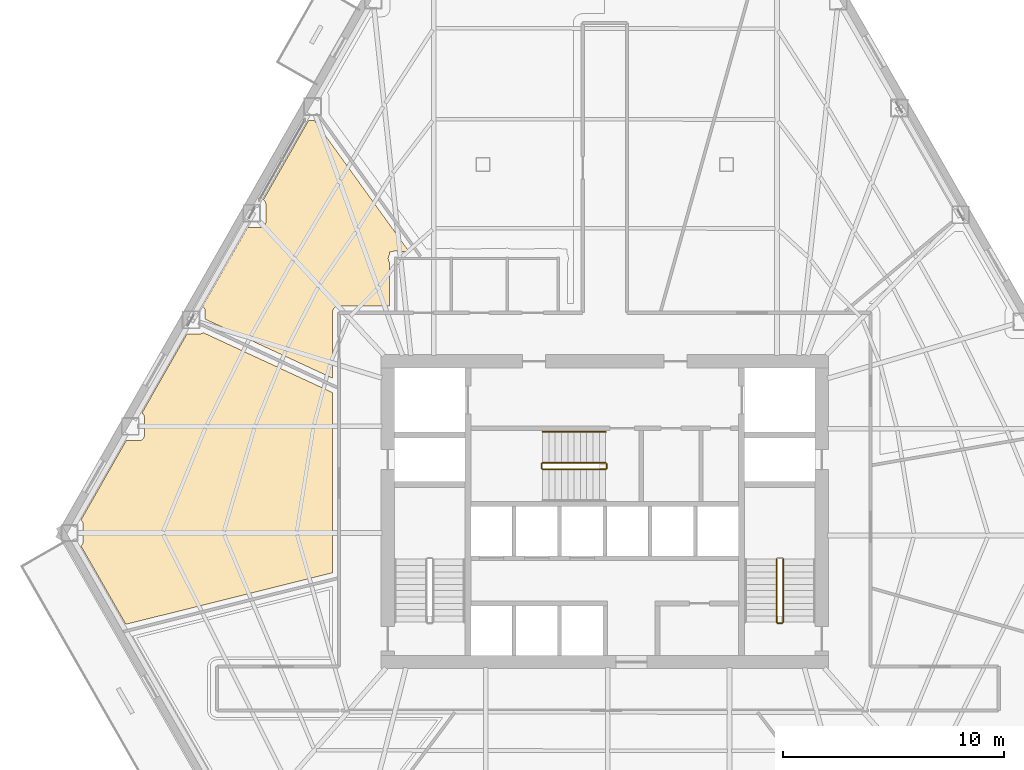
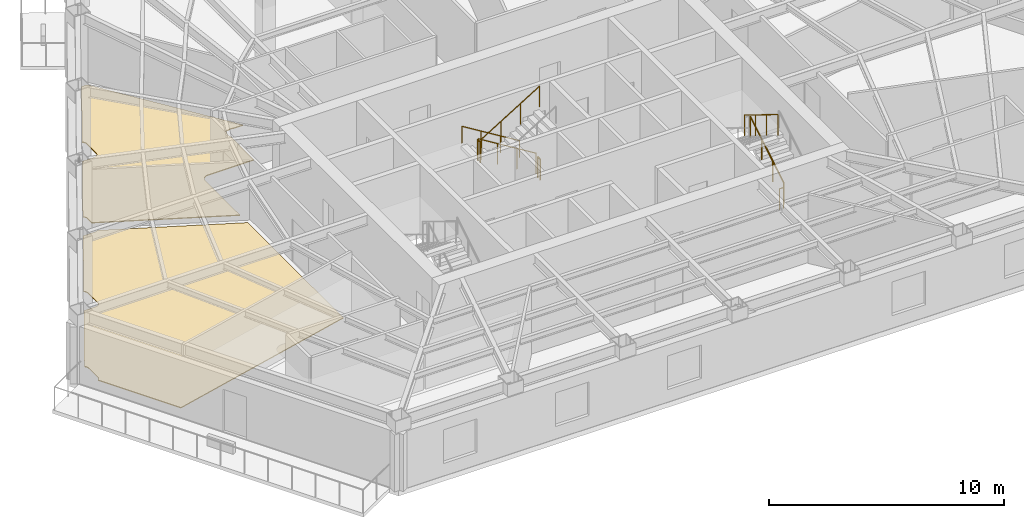
# One storey, part 12 of 14: 8 railings, 2 coverings.
"""IFC4 building model written with IfcOpenShell, lengths in metres."""

from ifc_helpers import new_model, si_unit, direction, frame, origin, origin_2d, place, context, subcontext, project, spatial, polyline, circle, outline, extrude, material, layer, layer_set, type_object, element, save


model = new_model("IFC4")

# Units and contexts
model_context = context("Model", 3, precision=1e-05, world=origin(), true_north=direction((0.0, 1.0)))
body_context = subcontext(model_context, "Body", "Model", "MODEL_VIEW")
ifc_project = project(units=[si_unit("LENGTHUNIT", "METRE"), si_unit("AREAUNIT", "SQUARE_METRE"), si_unit("VOLUMEUNIT", "CUBIC_METRE"), si_unit("PLANEANGLEUNIT", "RADIAN"), si_unit("MASSUNIT", "GRAM", prefix="KILO")], contexts=[model_context])

# Site, building, storey
site_placement = place(None, origin())
site = spatial("IfcSite", under=ifc_project, at=site_placement, CompositionType="ELEMENT")
building_placement = place(site_placement, origin())
building = spatial("IfcBuilding", under=site, at=building_placement, Name="Kavelnor Concourse Tower", CompositionType="ELEMENT")
storey_placement = place(building_placement, frame((0.0, 0.0, 32.949951171875)))
storey = spatial("IfcBuildingStorey", under=building, at=storey_placement, Name="L08", CompositionType="ELEMENT", Elevation=32.949951171875)

# Coverings
ifc_material_1 = material(Name="Honed bluestone and raised access floor finish", Category="masonry")
ifc_layer = layer(ifc_material_1, 0.0400390625, Name="Honed bluestone and raised access floor finish")
ifc_layer_set = layer_set([ifc_layer], Name="Honed bluestone and raised access floor finish")
covering_type = type_object("IfcCoveringType", Name="COV-FLOOR-STONE", PredefinedType="FLOORING", material=ifc_layer_set)
covering_1_placement = place(storey_placement, frame((0.0, 0.0, 0.001953125)))
element("IfcCovering", 1, at=covering_1_placement, inside=storey, type_object=covering_type, Name="L08 Honed Bluestone Floor Finish", PredefinedType="FLOORING", context=body_context, shape_type="SweptSolid", body=[
    extrude(outline(polyline([(21.849853515625, 28.959716796875), (22.435791015625, 28.959716796875), (22.453857421875, 28.960693359375), (22.477294921875, 28.964111328125), (22.5, 28.9697265625), (22.522216796875, 28.977783203125), (22.543701171875, 28.98779296875), (22.563720703125, 29.0), (22.582763671875, 29.013916015625), (22.60009765625, 29.02978515625), (22.615966796875, 29.04736328125), (22.630126953125, 29.066162109375), (22.64208984375, 29.08642578125), (22.65234375, 29.10791015625), (22.66015625, 29.1298828125), (22.666015625, 29.15283203125), (22.66943359375, 29.176025390625), (22.67041015625, 29.1943359375), (22.67041015625, 30.005126953125), (22.66943359375, 30.023193359375), (22.666015625, 30.046630859375), (22.66015625, 30.0693359375), (22.65234375, 30.091552734375), (22.64208984375, 30.113037109375), (22.630126953125, 30.13330078125), (22.615966796875, 30.152099609375), (22.60009765625, 30.169677734375), (22.582763671875, 30.185302734375), (22.563720703125, 30.199462890625), (22.55810546875, 30.202880859375), (24.596923828125, 33.781494140625), (24.87548828125, 33.781494140625), (29.1416015625, 27.8701171875), (28.65673828125, 27.8701171875), (28.649169921875, 27.87353515625), (28.622802734375, 27.883056640625), (28.595703125, 27.889892578125), (28.568115234375, 27.893798828125), (28.5400390625, 27.895263671875), (28.511962890625, 27.893798828125), (28.484375, 27.889892578125), (28.457275390625, 27.883056640625), (28.430908203125, 27.87353515625), (28.40771484375, 27.862548828125), (28.260009765625, 27.843994140625), (28.260009765625, 27.71826171875), (28.252685546875, 27.70849609375), (28.23828125, 27.6845703125), (28.226318359375, 27.6591796875), (28.217041015625, 27.6328125), (28.210205078125, 27.605712890625), (28.2060546875, 27.577880859375), (28.20458984375, 27.550048828125), (28.2060546875, 27.52197265625), (28.210205078125, 27.494384765625), (28.217041015625, 27.46728515625), (28.226318359375, 27.44091796875), (28.23828125, 27.41552734375), (28.252685546875, 27.3916015625), (28.2548828125, 27.388671875), (28.2548828125, 25.402587890625), (25.974609375, 25.402587890625), (25.9501953125, 25.4013671875), (25.9208984375, 25.39697265625), (25.89208984375, 25.3896484375), (25.864013671875, 25.379638671875), (25.83740234375, 25.366943359375), (25.811767578125, 25.351806640625), (25.787841796875, 25.333984375), (25.765869140625, 25.314208984375), (25.74609375, 25.2919921875), (25.728271484375, 25.268310546875), (25.712890625, 25.24267578125), (25.7001953125, 25.2158203125), (25.690185546875, 25.18798828125), (25.68310546875, 25.1591796875), (25.6787109375, 25.129638671875), (25.677490234375, 25.10546875), (25.677490234375, 22.138427734375), (19.92333984375, 24.806396484375), (19.92333984375, 25.183349609375), (19.92236328125, 25.20166015625), (19.9189453125, 25.224853515625), (19.9130859375, 25.247802734375), (19.9052734375, 25.27001953125), (19.895263671875, 25.291259765625), (19.883056640625, 25.3115234375), (19.868896484375, 25.330322265625), (19.853271484375, 25.347900390625), (19.835693359375, 25.36376953125), (19.81689453125, 25.377685546875), (19.81103515625, 25.381103515625), (21.849853515625, 28.959716796875)])), origin(), (0.0, 0.0, 1.0), 0.0400390625),
])
covering_2_placement = place(storey_placement, frame((0.0, 0.0, 0.001953125)))
element("IfcCovering", 2, at=covering_2_placement, inside=storey, type_object=covering_type, Name="L08 Honed Bluestone Floor Finish", PredefinedType="FLOORING", context=body_context, shape_type="SweptSolid", body=[
    extrude(outline(polyline([(16.355712890625, 19.31640625), (16.941650390625, 19.31640625), (16.959716796875, 19.3173828125), (16.983154296875, 19.32080078125), (17.005859375, 19.326416015625), (17.028076171875, 19.33447265625), (17.049560546875, 19.344482421875), (17.069580078125, 19.356689453125), (17.088623046875, 19.37060546875), (17.106201171875, 19.386474609375), (17.121826171875, 19.404052734375), (17.135986328125, 19.4228515625), (17.148193359375, 19.443115234375), (17.158203125, 19.464599609375), (17.166015625, 19.48681640625), (17.171875, 19.509521484375), (17.17529296875, 19.53271484375), (17.17626953125, 19.551025390625), (17.17626953125, 20.36181640625), (17.17529296875, 20.3798828125), (17.171875, 20.4033203125), (17.166015625, 20.426025390625), (17.158203125, 20.4482421875), (17.148193359375, 20.4697265625), (17.135986328125, 20.489990234375), (17.121826171875, 20.5087890625), (17.106201171875, 20.5263671875), (17.088623046875, 20.5419921875), (17.069580078125, 20.55615234375), (17.06396484375, 20.5595703125), (19.102783203125, 24.137939453125), (19.688720703125, 24.137939453125), (19.706787109375, 24.138916015625), (19.730224609375, 24.142333984375), (19.7529296875, 24.148193359375), (19.775146484375, 24.156005859375), (19.796630859375, 24.166015625), (19.81689453125, 24.17822265625), (19.835693359375, 24.1923828125), (19.839111328125, 24.1953125), (25.677490234375, 21.48828125), (25.677490234375, 13.331787109375), (16.339599609375, 11.00341796875), (14.3046875, 14.556396484375), (14.321533203125, 14.569091796875), (14.339111328125, 14.584716796875), (14.35498046875, 14.602294921875), (14.368896484375, 14.62109375), (14.381103515625, 14.641357421875), (14.39111328125, 14.662841796875), (14.399169921875, 14.68505859375), (14.40478515625, 14.707763671875), (14.408203125, 14.731201171875), (14.4091796875, 14.749267578125), (14.4091796875, 15.52001953125), (14.408203125, 15.538330078125), (14.40478515625, 15.5615234375), (14.399169921875, 15.58447265625), (14.39111328125, 15.606689453125), (14.381103515625, 15.6279296875), (14.368896484375, 15.648193359375), (14.35498046875, 15.6669921875), (14.339111328125, 15.6845703125), (14.321533203125, 15.700439453125), (14.303466796875, 15.714111328125), (16.355712890625, 19.31640625)])), origin(), (0.0, 0.0, 1.0), 0.0400390625),
])

# Railings
ifc_material_2 = material(Name="Steel Grade 350", Category="steel")
railing_type_1 = type_object("IfcRailingType", Name="RLG-GUARD-1100", PredefinedType="GUARDRAIL", material=ifc_material_2)
railing_1_placement = place(storey_placement, frame((46.070068359375, 11.10009765625, 0.175048828125)))
element("IfcRailing", 3, at=railing_1_placement, inside=storey, type_object=railing_type_1, Name="L08 ST2 stair guard 1", PredefinedType="GUARDRAIL", context=body_context, shape_type="SweptSolid", body=[
    extrude(circle(Radius=0.02392578125, at=origin_2d()), frame((0.0, 0.0, 1.076171875), z_axis=(0.0, 0.852159232446, 0.523282564737), x_axis=(-1.0, 0.0, 0.0)), (0.0, 0.0, 1.0), 3.34423828125),
    extrude(circle(Radius=0.02099609375, at=origin_2d()), origin(), (0.0, 0.0, 1.0), 1.052001953125),
    extrude(circle(Radius=0.02099609375, at=origin_2d()), frame((0.0, 0.949951171875, 0.583251953125)), (0.0, 0.0, 1.0), 1.052001953125),
    extrude(circle(Radius=0.02099609375, at=origin_2d()), frame((0.0, 1.89990234375, 1.166748046875)), (0.0, 0.0, 1.0), 1.052001953125),
    extrude(circle(Radius=0.02099609375, at=origin_2d()), frame((0.0, 2.849853515625, 1.75)), (0.0, 0.0, 1.0), 1.052001953125),
])
railing_2_placement = place(storey_placement, frame((45.77001953125, 13.949951171875, 2.10009765625)))
element("IfcRailing", 4, at=railing_2_placement, inside=storey, type_object=railing_type_1, Name="L08 ST2 stair guard 3", PredefinedType="GUARDRAIL", context=body_context, shape_type="SweptSolid", body=[
    extrude(circle(Radius=0.02392578125, at=origin_2d()), frame((0.0, 0.0, 1.076171875), z_axis=(0.0, -0.852159232446, 0.523282564737), x_axis=(1.0, 0.0, 0.0)), (0.0, 0.0, 1.0), 3.34423828125),
    extrude(circle(Radius=0.02099609375, at=origin_2d()), origin(), (0.0, 0.0, 1.0), 1.052001953125),
    extrude(circle(Radius=0.02099609375, at=origin_2d()), frame((0.0, -0.949951171875, 0.583251953125)), (0.0, 0.0, 1.0), 1.052001953125),
    extrude(circle(Radius=0.02099609375, at=origin_2d()), frame((0.0, -1.89990234375, 1.166748046875)), (0.0, 0.0, 1.0), 1.052001953125),
    extrude(circle(Radius=0.02099609375, at=origin_2d()), frame((0.0, -2.849853515625, 1.75)), (0.0, 0.0, 1.0), 1.052001953125),
])
railing_3_placement = place(storey_placement, frame((46.02001953125, 11.050048828125, 0.0)))
element("IfcRailing", 5, at=railing_3_placement, inside=storey, type_object=railing_type_1, Name="L08 ST2 stair guard 4", PredefinedType="GUARDRAIL", context=body_context, shape_type="SweptSolid", body=[
    extrude(circle(Radius=0.02392578125, at=origin_2d()), frame((0.0, 0.0, 1.076171875), z_axis=(-1.0, 0.0, 0.0), x_axis=(0.0, -1.0, 0.0)), (0.0, 0.0, 1.0), 0.199951171875),
    extrude(circle(Radius=0.02099609375, at=origin_2d()), origin(), (0.0, 0.0, 1.0), 1.052001953125),
    extrude(circle(Radius=0.02099609375, at=origin_2d()), frame((-0.199951171875, 0.0, 0.0)), (0.0, 0.0, 1.0), 1.052001953125),
])
railing_4_placement = place(storey_placement, frame((38.0400390625, 18.31005859375, 0.175048828125)))
element("IfcRailing", 6, at=railing_4_placement, inside=storey, type_object=railing_type_1, Name="L08 ST3 stair guard 1", PredefinedType="GUARDRAIL", context=body_context, shape_type="SweptSolid", body=[
    extrude(circle(Radius=0.02392578125, at=origin_2d()), frame((0.0, 0.0, 1.076171875), z_axis=(-0.852179220489, 0.0, 0.52325001306), x_axis=(0.0, -1.0, 0.0)), (0.0, 0.0, 1.0), 3.344482421875),
    extrude(circle(Radius=0.02099609375, at=origin_2d()), origin(), (0.0, 0.0, 1.0), 1.052001953125),
    extrude(circle(Radius=0.02099609375, at=origin_2d()), frame((-0.949951171875, 0.0, 0.583251953125)), (0.0, 0.0, 1.0), 1.052001953125),
    extrude(circle(Radius=0.02099609375, at=origin_2d()), frame((-1.900146484375, 0.0, 1.166748046875)), (0.0, 0.0, 1.0), 1.052001953125),
    extrude(circle(Radius=0.02099609375, at=origin_2d()), frame((-2.85009765625, 0.0, 1.75)), (0.0, 0.0, 1.0), 1.052001953125),
])
railing_5_placement = place(storey_placement, frame((35.139892578125, 18.260009765625, 1.925048828125)))
element("IfcRailing", 7, at=railing_5_placement, inside=storey, type_object=railing_type_1, Name="L08 ST3 stair guard 2", PredefinedType="GUARDRAIL", context=body_context, shape_type="SweptSolid", body=[
    extrude(circle(Radius=0.02392578125, at=origin_2d()), frame((0.0, 0.0, 1.076171875), z_axis=(0.0, -1.0, 0.0), x_axis=(1.0, 0.0, 0.0)), (0.0, 0.0, 1.0), 0.199951171875),
    extrude(circle(Radius=0.02099609375, at=origin_2d()), origin(), (0.0, 0.0, 1.0), 1.052001953125),
    extrude(circle(Radius=0.02099609375, at=origin_2d()), frame((0.0, -0.199951171875, 0.0)), (0.0, 0.0, 1.0), 1.052001953125),
])
railing_6_placement = place(storey_placement, frame((35.18994140625, 18.010009765625, 2.10009765625)))
element("IfcRailing", 8, at=railing_6_placement, inside=storey, type_object=railing_type_1, Name="L08 ST3 stair guard 3", PredefinedType="GUARDRAIL", context=body_context, shape_type="SweptSolid", body=[
    extrude(circle(Radius=0.02392578125, at=origin_2d()), frame((0.0, 0.0, 1.076171875), z_axis=(0.852179220489, 0.0, 0.52325001306), x_axis=(0.0, 1.0, 0.0)), (0.0, 0.0, 1.0), 3.344482421875),
    extrude(circle(Radius=0.02099609375, at=origin_2d()), origin(), (0.0, 0.0, 1.0), 1.052001953125),
    extrude(circle(Radius=0.02099609375, at=origin_2d()), frame((0.949951171875, 0.0, 0.583251953125)), (0.0, 0.0, 1.0), 1.052001953125),
    extrude(circle(Radius=0.02099609375, at=origin_2d()), frame((1.900146484375, 0.0, 1.166748046875)), (0.0, 0.0, 1.0), 1.052001953125),
    extrude(circle(Radius=0.02099609375, at=origin_2d()), frame((2.85009765625, 0.0, 1.75)), (0.0, 0.0, 1.0), 1.052001953125),
])
railing_7_placement = place(storey_placement, frame((38.090087890625, 18.260009765625, 0.0)))
element("IfcRailing", 9, at=railing_7_placement, inside=storey, type_object=railing_type_1, Name="L08 ST3 stair guard 4", PredefinedType="GUARDRAIL", context=body_context, shape_type="SweptSolid", body=[
    extrude(circle(Radius=0.02392578125, at=origin_2d()), frame((0.0, 0.0, 1.076171875), z_axis=(0.0, -1.0, 0.0), x_axis=(1.0, 0.0, 0.0)), (0.0, 0.0, 1.0), 0.199951171875),
    extrude(circle(Radius=0.02099609375, at=origin_2d()), origin(), (0.0, 0.0, 1.0), 1.052001953125),
    extrude(circle(Radius=0.02099609375, at=origin_2d()), frame((0.0, -0.199951171875, 0.0)), (0.0, 0.0, 1.0), 1.052001953125),
])
railing_type_2 = type_object("IfcRailingType", Name="RLG-HANDRAIL-900", PredefinedType="HANDRAIL", material=ifc_material_2)
railing_8_placement = place(storey_placement, frame((38.0400390625, 19.7099609375, 0.175048828125)))
element("IfcRailing", 10, at=railing_8_placement, inside=storey, type_object=railing_type_2, Name="L08 ST3 stair handrail 1", PredefinedType="HANDRAIL", context=body_context, shape_type="SweptSolid", body=[
    extrude(circle(Radius=0.02392578125, at=origin_2d()), frame((0.0, 0.0, 0.8759765625), z_axis=(-0.852179220489, 0.0, 0.52325001306), x_axis=(0.0, -1.0, 0.0)), (0.0, 0.0, 1.0), 3.344482421875),
    extrude(circle(Radius=0.02099609375, at=origin_2d()), origin(), (0.0, 0.0, 1.0), 0.851806640625),
    extrude(circle(Radius=0.02099609375, at=origin_2d()), frame((-0.949951171875, 0.0, 0.583251953125)), (0.0, 0.0, 1.0), 0.851806640625),
    extrude(circle(Radius=0.02099609375, at=origin_2d()), frame((-1.900146484375, 0.0, 1.166748046875)), (0.0, 0.0, 1.0), 0.851806640625),
    extrude(circle(Radius=0.02099609375, at=origin_2d()), frame((-2.85009765625, 0.0, 1.75)), (0.0, 0.0, 1.0), 0.851806640625),
])

save(model, "model.ifc")
